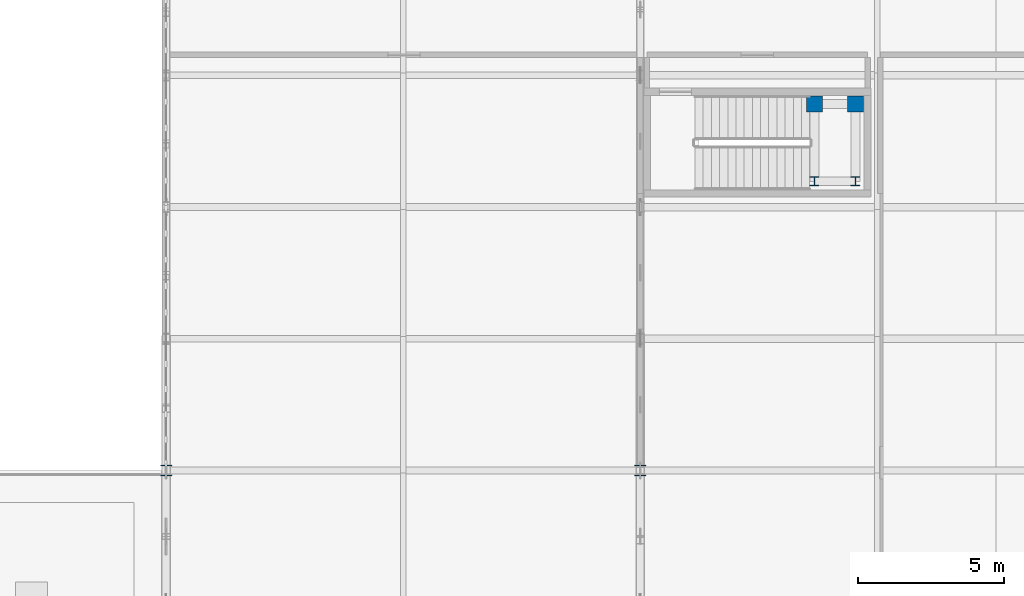
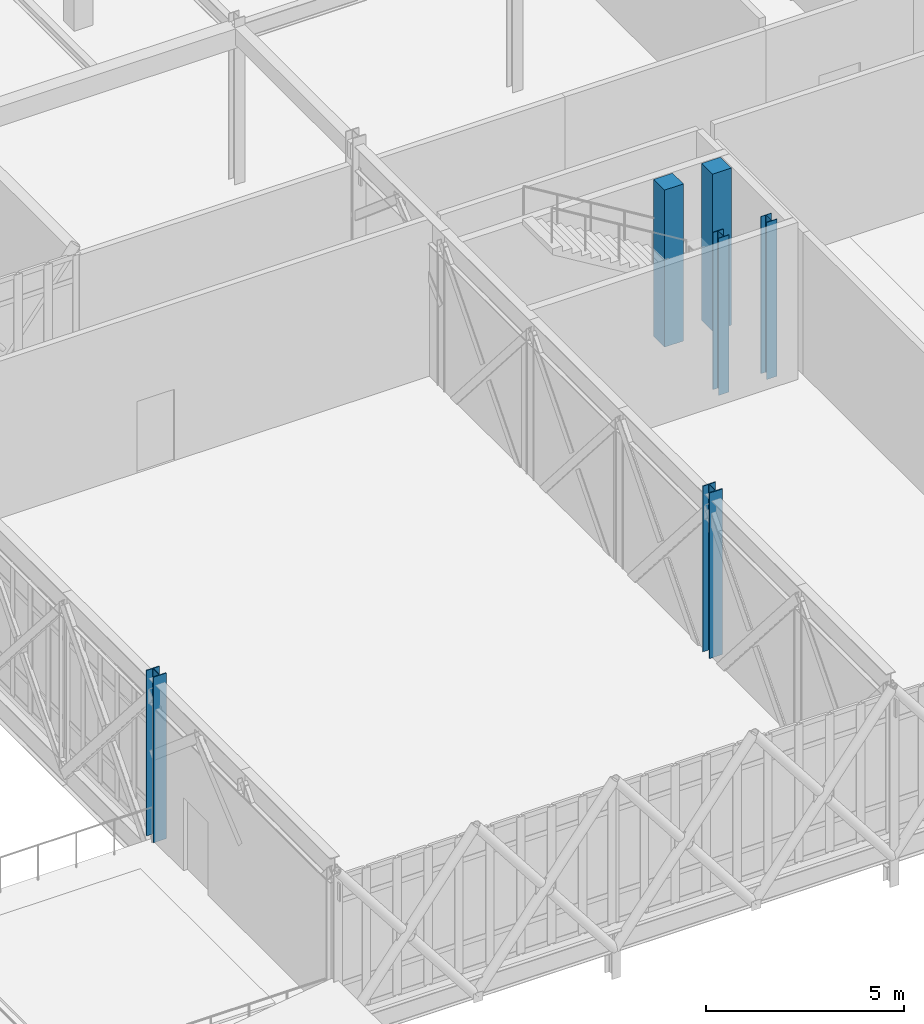
# One storey, part 1 of 107: 6 columns.
"""IFC4 building model written with IfcOpenShell, lengths in metres."""

from ifc_helpers import new_model, si_unit, direction, frame, origin, origin_2d, place, context, subcontext, project, spatial, rectangle, i_section, extrude, material, material_profile, profile_set, type_object, element, save


model = new_model("IFC4")

# Units and contexts
model_context = context("Model", 3, precision=1e-05, world=origin(), true_north=direction((0.0, 1.0)))
body_context = subcontext(model_context, "Body", "Model", "MODEL_VIEW")
ifc_project = project(units=[si_unit("LENGTHUNIT", "METRE"), si_unit("AREAUNIT", "SQUARE_METRE"), si_unit("VOLUMEUNIT", "CUBIC_METRE"), si_unit("PLANEANGLEUNIT", "RADIAN"), si_unit("MASSUNIT", "GRAM", prefix="KILO")], contexts=[model_context])

# Site, building, storey
site_placement = place(None, origin())
site = spatial("IfcSite", under=ifc_project, at=site_placement, CompositionType="ELEMENT")
building_placement = place(site_placement, origin())
building = spatial("IfcBuilding", under=site, at=building_placement, Name="Tarnveldt Square Police Headquarters", CompositionType="ELEMENT")
storey_placement = place(building_placement, frame((0.0, 0.0, 14.699951171875)))
storey = spatial("IfcBuildingStorey", under=building, at=storey_placement, Name="L03", CompositionType="ELEMENT", Elevation=14.699951171875)

# Columns
ifc_material_1 = material(Name="Concrete 40 MPa", Category="concrete")
ifc_material_profile_1 = material_profile(ifc_material_1, rectangle(XDim=0.550048828125, YDim=0.550048828125, at=origin_2d()), Name="RC-C550x550")
ifc_profile_set_1 = profile_set([ifc_material_profile_1], Name="Concrete 40 MPa")
column_type_1 = type_object("IfcColumnType", Name="COL-RC550", PredefinedType="COLUMN", material=ifc_profile_set_1)
for number, where, z_axis, x_axis, name in (
    (1, (30.25, 28.52001953125, 0.0), (0.0, 0.0, 1.0), (1.0, 0.0, 0.0), "L03 Column 040"),
    (2, (31.64990234375, 28.52001953125, 0.0), (0.0, 0.0, 1.0), (1.0, 0.0, 0.0), "L03 Column 042"),
):
    element("IfcColumn", number, at=place(storey_placement, frame(where, z_axis=z_axis, x_axis=x_axis)), inside=storey, type_object=column_type_1, Name=name, PredefinedType="COLUMN", context=body_context, shape_type="SweptSolid", body=[
        extrude(rectangle(XDim=0.550048828125, YDim=0.550048828125, at=origin_2d()), origin(), (0.0, 0.0, 1.0), 4.840087890625),
    ])
ifc_material_2 = material(Name="Steel 350W", Category="steel")
ifc_material_profile_2 = material_profile(ifc_material_2, i_section(OverallWidth=0.304931640625, OverallDepth=0.30810546875, WebThickness=0.010009765625, FlangeThickness=0.015380859375, FilletRadius=0.014892578125, at=origin_2d()), Name="W310x97")
ifc_profile_set_2 = profile_set([ifc_material_profile_2], Name="Steel 350W")
column_type_2 = type_object("IfcColumnType", Name="COL-W310x97", PredefinedType="COLUMN", material=ifc_profile_set_2)
for number, where, z_axis, x_axis, name in (
    (3, (30.25, 25.8798828125, 0.0), (0.0, 0.0, 1.0), (1.0, 0.0, 0.0), "L03 Column 039"),
    (4, (31.64990234375, 25.8798828125, 0.0), (0.0, 0.0, 1.0), (1.0, 0.0, 0.0), "L03 Column 041"),
):
    element("IfcColumn", number, at=place(storey_placement, frame(where, z_axis=z_axis, x_axis=x_axis)), inside=storey, type_object=column_type_2, Name=name, PredefinedType="COLUMN", context=body_context, shape_type="SweptSolid", body=[
        extrude(i_section(OverallWidth=0.304931640625, OverallDepth=0.30810546875, WebThickness=0.010009765625, FlangeThickness=0.015380859375, FilletRadius=0.014892578125, at=origin_2d()), origin(), (0.0, 0.0, 1.0), 4.840087890625),
    ])
ifc_material_profile_3 = material_profile(ifc_material_2, i_section(OverallWidth=0.3740234375, OverallDepth=0.3720703125, WebThickness=0.016357421875, FlangeThickness=0.026123046875, FilletRadius=0.01611328125, at=origin_2d()), Name="W360x196")
ifc_profile_set_3 = profile_set([ifc_material_profile_3], Name="Steel 350W")
column_type_3 = type_object("IfcColumnType", Name="COL-W360x196", PredefinedType="COLUMN", material=ifc_profile_set_3)
for number, where, z_axis, x_axis, name in (
    (5, (8.10009765625, 16.0, 0.0), (0.0, 0.0, 1.0), (1.0, 0.0, 0.0), "L03 Column 010"),
    (6, (24.300048828125, 16.0, 0.0), (0.0, 0.0, 1.0), (1.0, 0.0, 0.0), "L03 Column 029"),
):
    element("IfcColumn", number, at=place(storey_placement, frame(where, z_axis=z_axis, x_axis=x_axis)), inside=storey, type_object=column_type_3, Name=name, PredefinedType="COLUMN", context=body_context, shape_type="SweptSolid", body=[
        extrude(i_section(OverallWidth=0.3740234375, OverallDepth=0.3720703125, WebThickness=0.016357421875, FlangeThickness=0.026123046875, FilletRadius=0.01611328125, at=origin_2d()), origin(), (0.0, 0.0, 1.0), 5.10009765625),
    ])

save(model, "model.ifc")
